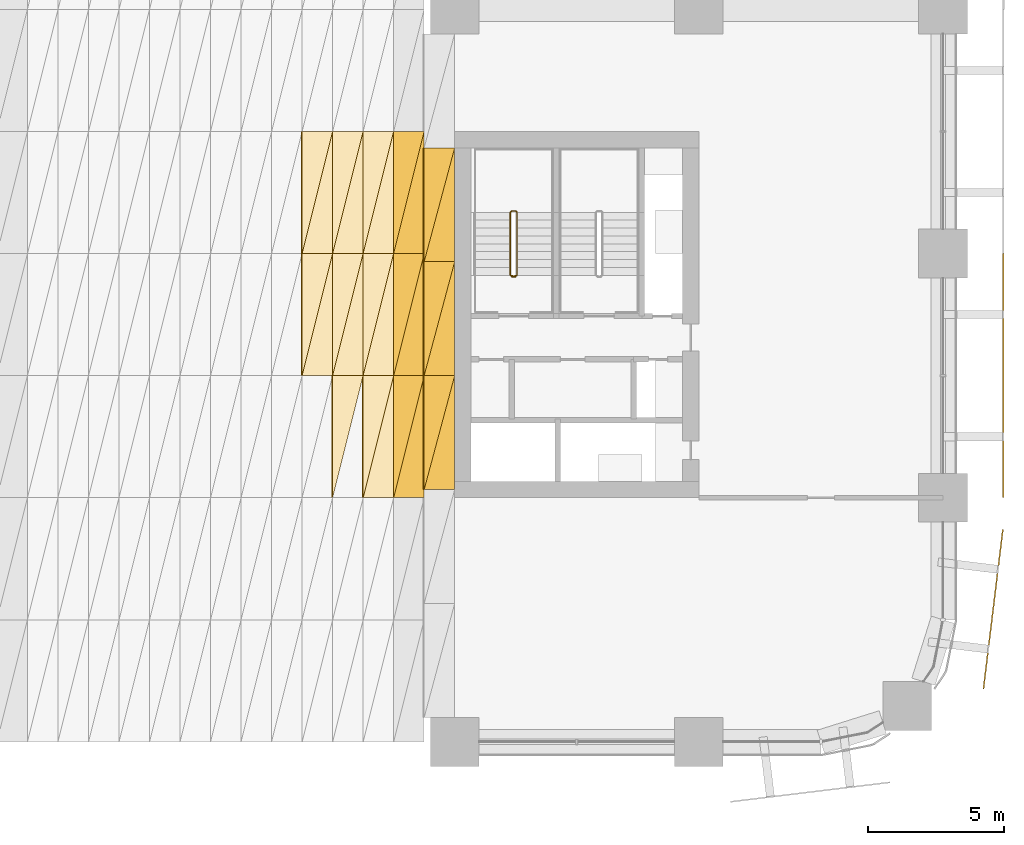
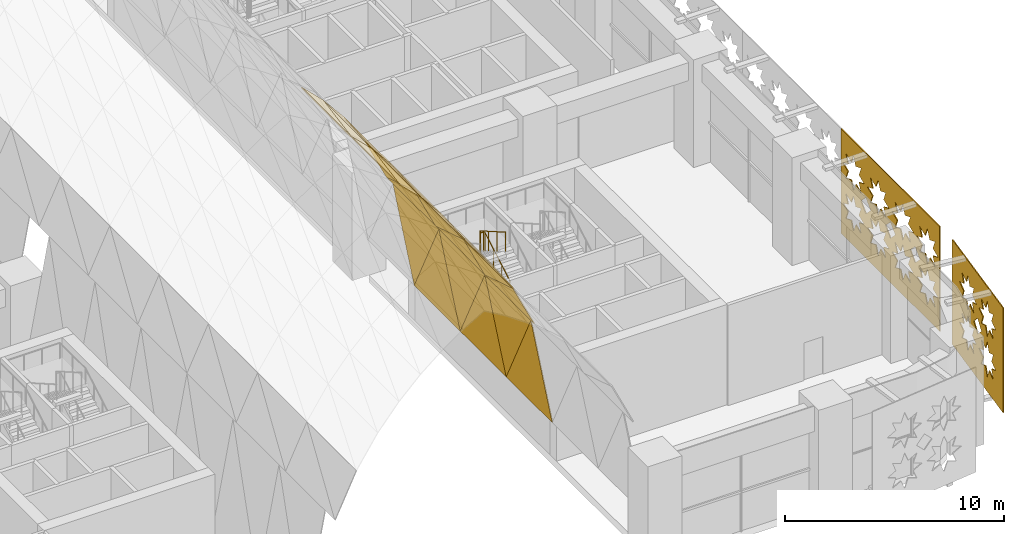
# One storey, part 37 of 46: 29 coverings, 1 railing.
"""IFC4 building model written with IfcOpenShell, lengths in metres."""

from ifc_helpers import new_model, si_unit, direction, frame, origin, origin_2d, place, context, subcontext, project, spatial, polyline, circle, outline, extrude, material, layer, layer_set, type_object, element, save


model = new_model("IFC4")

# Units and contexts
model_context = context("Model", 3, precision=1e-05, world=origin(), true_north=direction((0.0, 1.0)))
body_context = subcontext(model_context, "Body", "Model", "MODEL_VIEW")
ifc_project = project(units=[si_unit("LENGTHUNIT", "METRE"), si_unit("AREAUNIT", "SQUARE_METRE"), si_unit("VOLUMEUNIT", "CUBIC_METRE"), si_unit("PLANEANGLEUNIT", "RADIAN"), si_unit("MASSUNIT", "GRAM", prefix="KILO")], contexts=[model_context])

# Site, building, storey
site_placement = place(None, origin())
site = spatial("IfcSite", under=ifc_project, at=site_placement, CompositionType="ELEMENT")
building_placement = place(site_placement, origin())
building = spatial("IfcBuilding", under=site, at=building_placement, Name="Tessera Arch", CompositionType="ELEMENT")
storey_placement = place(building_placement, frame((0.0, 0.0, 8.0)))
storey = spatial("IfcBuildingStorey", under=building, at=storey_placement, Name="L01", CompositionType="ELEMENT", Elevation=8.0)

# Coverings
ifc_material_1 = material(Name="Aluminium cladding pale metal anodised", Category="aluminium")
ifc_layer_1 = layer(ifc_material_1, 0.050048828125)
ifc_layer_set_1 = layer_set([ifc_layer_1], Name="Arch soffit panel")
covering_type_1 = type_object("IfcCoveringType", Name="Arch soffit panel", PredefinedType="CLADDING", material=ifc_layer_set_1)
covering_1_placement = place(storey_placement, frame((30.375, 13.5, 14.6337890625), z_axis=(0.70300502251, 0.0, 0.711184883364), x_axis=(0.711184883364, 0.0, -0.70300502251)))
element("IfcCovering", 1, at=covering_1_placement, inside=storey, type_object=covering_type_1, Name="Arch soffit panel 12-4-1", PredefinedType="CLADDING", context=body_context, shape_type="SweptSolid", body=[
    extrude(outline(polyline([(0.0, 0.0), (1.5818671435730385, 0.0), (1.5818671435730385, 4.5), (0.0, 0.0)])), origin(), (0.0, 0.0, -1.0), 0.050048828125),
])
covering_2_placement = place(storey_placement, frame((30.375, 13.5, 14.6337890625), z_axis=(0.70300502251, 0.0, 0.711184883364), x_axis=(0.235852147397, 0.943408589587, -0.233139438236)))
element("IfcCovering", 2, at=covering_2_placement, inside=storey, type_object=covering_type_1, Name="Arch soffit panel 12-4-2", PredefinedType="CLADDING", context=body_context, shape_type="SweptSolid", body=[
    extrude(outline(polyline([(0.0, 0.0), (4.769937490147635, 0.0), (4.245338653143071, 1.4923470508328087), (0.0, 0.0)])), origin(), (0.0, 0.0, -1.0), 0.050048828125),
])
covering_3_placement = place(storey_placement, frame((30.375, 18.0, 14.6337890625), z_axis=(0.70300502251, 0.0, 0.711184883364), x_axis=(0.711184883364, 0.0, -0.70300502251)))
element("IfcCovering", 3, at=covering_3_placement, inside=storey, type_object=covering_type_1, Name="Arch soffit panel 12-5-1", PredefinedType="CLADDING", context=body_context, shape_type="SweptSolid", body=[
    extrude(outline(polyline([(0.0, 0.0), (1.5818671435730385, 0.0), (1.5818671435730385, 4.5), (0.0, 0.0)])), origin(), (0.0, 0.0, -1.0), 0.050048828125),
])
covering_4_placement = place(storey_placement, frame((30.375, 18.0, 14.6337890625), z_axis=(0.70300502251, 0.0, 0.711184883364), x_axis=(0.235852147397, 0.943408589587, -0.233139438236)))
element("IfcCovering", 4, at=covering_4_placement, inside=storey, type_object=covering_type_1, Name="Arch soffit panel 12-5-2", PredefinedType="CLADDING", context=body_context, shape_type="SweptSolid", body=[
    extrude(outline(polyline([(0.0, 0.0), (4.769937490147635, 0.0), (4.245338653143071, 1.4923470508328087), (0.0, 0.0)])), origin(), (0.0, 0.0, -1.0), 0.050048828125),
])
covering_5_placement = place(storey_placement, frame((31.5, 9.0, 13.521728515625), z_axis=(0.769435590456, 0.0, 0.638724410164), x_axis=(0.232802733554, 0.931210934214, -0.280444438793)))
element("IfcCovering", 5, at=covering_5_placement, inside=storey, type_object=covering_type_1, Name="Arch soffit panel 13-3-2", PredefinedType="CLADDING", context=body_context, shape_type="SweptSolid", body=[
    extrude(outline(polyline([(0.0, 0.0), (4.832417484226257, 2.220446049250313e-16), (4.190449203964491, 1.640163244617246), (0.0, 0.0)])), origin(), (0.0, 0.0, -1.0), 0.050048828125),
])
covering_6_placement = place(storey_placement, frame((31.5, 13.5, 13.521728515625), z_axis=(0.769435590456, 0.0, 0.638724410164), x_axis=(0.638724410164, 0.0, -0.769435590456)))
element("IfcCovering", 6, at=covering_6_placement, inside=storey, type_object=covering_type_1, Name="Arch soffit panel 13-4-1", PredefinedType="CLADDING", context=body_context, shape_type="SweptSolid", body=[
    extrude(outline(polyline([(0.0, 0.0), (1.7613230089496987, 0.0), (1.7613230089496987, 4.5), (0.0, 0.0)])), origin(), (0.0, 0.0, -1.0), 0.050048828125),
])
covering_7_placement = place(storey_placement, frame((31.5, 13.5, 13.521728515625), z_axis=(0.769435590456, 0.0, 0.638724410164), x_axis=(0.232802733554, 0.931210934214, -0.280444438793)))
element("IfcCovering", 7, at=covering_7_placement, inside=storey, type_object=covering_type_1, Name="Arch soffit panel 13-4-2", PredefinedType="CLADDING", context=body_context, shape_type="SweptSolid", body=[
    extrude(outline(polyline([(0.0, 0.0), (4.832417484226257, 2.220446049250313e-16), (4.190449203964491, 1.640163244617246), (0.0, 0.0)])), origin(), (0.0, 0.0, -1.0), 0.050048828125),
])
covering_8_placement = place(storey_placement, frame((31.5, 18.0, 13.521728515625), z_axis=(0.769435590456, 0.0, 0.638724410164), x_axis=(0.638724410164, 0.0, -0.769435590456)))
element("IfcCovering", 8, at=covering_8_placement, inside=storey, type_object=covering_type_1, Name="Arch soffit panel 13-5-1", PredefinedType="CLADDING", context=body_context, shape_type="SweptSolid", body=[
    extrude(outline(polyline([(0.0, 0.0), (1.7613230089496987, 0.0), (1.7613230089496987, 4.5), (0.0, 0.0)])), origin(), (0.0, 0.0, -1.0), 0.050048828125),
])
covering_9_placement = place(storey_placement, frame((31.5, 18.0, 13.521728515625), z_axis=(0.769435590456, 0.0, 0.638724410164), x_axis=(0.232802733554, 0.931210934214, -0.280444438793)))
element("IfcCovering", 9, at=covering_9_placement, inside=storey, type_object=covering_type_1, Name="Arch soffit panel 13-5-2", PredefinedType="CLADDING", context=body_context, shape_type="SweptSolid", body=[
    extrude(outline(polyline([(0.0, 0.0), (4.832417484226257, 2.220446049250313e-16), (4.190449203964491, 1.640163244617246), (0.0, 0.0)])), origin(), (0.0, 0.0, -1.0), 0.050048828125),
])
covering_10_placement = place(storey_placement, frame((32.625, 9.0, 12.16650390625), z_axis=(0.836058150895, 0.0, 0.548640837272), x_axis=(0.548640837272, 0.0, -0.836058150895)))
element("IfcCovering", 10, at=covering_10_placement, inside=storey, type_object=covering_type_1, Name="Arch soffit panel 14-3-1", PredefinedType="CLADDING", context=body_context, shape_type="SweptSolid", body=[
    extrude(outline(polyline([(0.0, 0.0), (2.050521805110356, 0.0), (2.050521805110356, 4.500000000000001), (0.0, 0.0)])), origin(), (0.0, 0.0, -1.0), 0.050048828125),
])
covering_11_placement = place(storey_placement, frame((32.625, 9.0, 12.16650390625), z_axis=(0.836058150895, 0.0, 0.548640837272), x_axis=(0.227495016996, 0.909980067983, -0.346673179111)))
element("IfcCovering", 11, at=covering_11_placement, inside=storey, type_object=covering_type_1, Name="Arch soffit panel 14-3-2", PredefinedType="CLADDING", context=body_context, shape_type="SweptSolid", body=[
    extrude(outline(polyline([(0.0, 0.0), (4.945163260523664, 0.0), (4.094910305924995, 1.8659339716156267), (0.0, 0.0)])), origin(), (0.0, 0.0, -1.0), 0.050048828125),
])
covering_12_placement = place(storey_placement, frame((32.625, 13.5, 12.16650390625), z_axis=(0.836058150895, 0.0, 0.548640837272), x_axis=(0.548640837272, 0.0, -0.836058150895)))
element("IfcCovering", 12, at=covering_12_placement, inside=storey, type_object=covering_type_1, Name="Arch soffit panel 14-4-1", PredefinedType="CLADDING", context=body_context, shape_type="SweptSolid", body=[
    extrude(outline(polyline([(0.0, 0.0), (2.050521805110356, 0.0), (2.050521805110356, 4.500000000000001), (0.0, 0.0)])), origin(), (0.0, 0.0, -1.0), 0.050048828125),
])
covering_13_placement = place(storey_placement, frame((32.625, 13.5, 12.16650390625), z_axis=(0.836058150895, 0.0, 0.548640837272), x_axis=(0.227495016996, 0.909980067983, -0.346673179111)))
element("IfcCovering", 13, at=covering_13_placement, inside=storey, type_object=covering_type_1, Name="Arch soffit panel 14-4-2", PredefinedType="CLADDING", context=body_context, shape_type="SweptSolid", body=[
    extrude(outline(polyline([(0.0, 0.0), (4.945163260523664, 0.0), (4.094910305924995, 1.8659339716156267), (0.0, 0.0)])), origin(), (0.0, 0.0, -1.0), 0.050048828125),
])
covering_14_placement = place(storey_placement, frame((32.625, 18.0, 12.16650390625), z_axis=(0.836058150895, 0.0, 0.548640837272), x_axis=(0.548640837272, 0.0, -0.836058150895)))
element("IfcCovering", 14, at=covering_14_placement, inside=storey, type_object=covering_type_1, Name="Arch soffit panel 14-5-1", PredefinedType="CLADDING", context=body_context, shape_type="SweptSolid", body=[
    extrude(outline(polyline([(0.0, 0.0), (2.050521805110356, 0.0), (2.050521805110356, 4.500000000000001), (0.0, 0.0)])), origin(), (0.0, 0.0, -1.0), 0.050048828125),
])
covering_15_placement = place(storey_placement, frame((32.625, 18.0, 12.16650390625), z_axis=(0.836058150895, 0.0, 0.548640837272), x_axis=(0.227495016996, 0.909980067983, -0.346673179111)))
element("IfcCovering", 15, at=covering_15_placement, inside=storey, type_object=covering_type_1, Name="Arch soffit panel 14-5-2", PredefinedType="CLADDING", context=body_context, shape_type="SweptSolid", body=[
    extrude(outline(polyline([(0.0, 0.0), (4.945163260523664, 0.0), (4.094910305924995, 1.8659339716156267), (0.0, 0.0)])), origin(), (0.0, 0.0, -1.0), 0.050048828125),
])
covering_16_placement = place(storey_placement, frame((33.75, 9.0, 10.4521484375), z_axis=(0.903430696756, 0.0, 0.428734155577), x_axis=(0.428734155577, 0.0, -0.903430696756)))
element("IfcCovering", 16, at=covering_16_placement, inside=storey, type_object=covering_type_1, Name="Arch soffit panel 15-3-1", PredefinedType="CLADDING", context=body_context, shape_type="SweptSolid", body=[
    extrude(outline(polyline([(0.0, 0.0), (2.624003675391368, 0.0), (2.624003675391368, 4.500000000000001), (0.0, 0.0)])), origin(), (0.0, 0.0, -1.0), 0.050048828125),
])
covering_17_placement = place(storey_placement, frame((33.75, 9.0, 10.4521484375), z_axis=(0.903430696756, 0.0, 0.428734155577), x_axis=(0.215965533365, 0.863862133459, -0.455083621739)))
element("IfcCovering", 17, at=covering_17_placement, inside=storey, type_object=covering_type_1, Name="Arch soffit panel 15-3-2", PredefinedType="CLADDING", context=body_context, shape_type="SweptSolid", body=[
    extrude(outline(polyline([(0.0, 0.0), (5.209164548031422, 0.0), (3.887379600564281, 2.2667774132271337), (0.0, 0.0)])), origin(), (0.0, 0.0, -1.0), 0.050048828125),
])
covering_18_placement = place(storey_placement, frame((33.75, 13.5, 10.4521484375), z_axis=(0.903430696756, 0.0, 0.428734155577), x_axis=(0.428734155577, 0.0, -0.903430696756)))
element("IfcCovering", 18, at=covering_18_placement, inside=storey, type_object=covering_type_1, Name="Arch soffit panel 15-4-1", PredefinedType="CLADDING", context=body_context, shape_type="SweptSolid", body=[
    extrude(outline(polyline([(0.0, 0.0), (2.624003675391368, 0.0), (2.624003675391368, 4.500000000000001), (0.0, 0.0)])), origin(), (0.0, 0.0, -1.0), 0.050048828125),
])
covering_19_placement = place(storey_placement, frame((33.75, 13.5, 10.4521484375), z_axis=(0.903430696756, 0.0, 0.428734155577), x_axis=(0.215965533365, 0.863862133459, -0.455083621739)))
element("IfcCovering", 19, at=covering_19_placement, inside=storey, type_object=covering_type_1, Name="Arch soffit panel 15-4-2", PredefinedType="CLADDING", context=body_context, shape_type="SweptSolid", body=[
    extrude(outline(polyline([(0.0, 0.0), (5.209164548031422, 0.0), (3.887379600564281, 2.2667774132271337), (0.0, 0.0)])), origin(), (0.0, 0.0, -1.0), 0.050048828125),
])
covering_20_placement = place(storey_placement, frame((33.75, 18.0, 10.4521484375), z_axis=(0.903430696756, 0.0, 0.428734155577), x_axis=(0.428734155577, 0.0, -0.903430696756)))
element("IfcCovering", 20, at=covering_20_placement, inside=storey, type_object=covering_type_1, Name="Arch soffit panel 15-5-1", PredefinedType="CLADDING", context=body_context, shape_type="SweptSolid", body=[
    extrude(outline(polyline([(0.0, 0.0), (2.624003675391368, 0.0), (2.624003675391368, 4.500000000000001), (0.0, 0.0)])), origin(), (0.0, 0.0, -1.0), 0.050048828125),
])
covering_21_placement = place(storey_placement, frame((33.75, 18.0, 10.4521484375), z_axis=(0.903430696756, 0.0, 0.428734155577), x_axis=(0.215965533365, 0.863862133459, -0.455083621739)))
element("IfcCovering", 21, at=covering_21_placement, inside=storey, type_object=covering_type_1, Name="Arch soffit panel 15-5-2", PredefinedType="CLADDING", context=body_context, shape_type="SweptSolid", body=[
    extrude(outline(polyline([(0.0, 0.0), (5.209164548031422, 0.0), (3.887379600564281, 2.2667774132271337), (0.0, 0.0)])), origin(), (0.0, 0.0, -1.0), 0.050048828125),
])
covering_22_placement = place(storey_placement, frame((34.875, 9.300048828125, 8.08154296875), z_axis=(0.98331706381, 0.0, 0.181899840628), x_axis=(0.181899840628, 0.0, -0.98331706381)))
element("IfcCovering", 22, at=covering_22_placement, inside=storey, type_object=covering_type_1, Name="Arch soffit panel 16-3-1", PredefinedType="CLADDING", context=body_context, shape_type="SweptSolid", body=[
    extrude(outline(polyline([(0.0, 0.0), (6.184722296170829, 0.0), (6.184722296170829, 4.199951171875), (0.0, 0.0)])), origin(), (0.0, 0.0, -1.0), 0.050048828125),
])
covering_23_placement = place(storey_placement, frame((34.875, 9.300048828125, 8.08154296875), z_axis=(0.98331706381, 0.0, 0.181899840628), x_axis=(0.150481805158, 0.561792207927, -0.81347694585)))
element("IfcCovering", 23, at=covering_23_placement, inside=storey, type_object=covering_type_1, Name="Arch soffit panel 16-3-2", PredefinedType="CLADDING", context=body_context, shape_type="SweptSolid", body=[
    extrude(outline(polyline([(0.0, 0.0), (7.475986873108242, 4.440892098500626e-16), (2.3594998420322653, 3.474528794179709), (0.0, 0.0)])), origin(), (0.0, 0.0, -1.0), 0.050048828125),
])
covering_24_placement = place(storey_placement, frame((34.875, 13.5, 8.08154296875), z_axis=(0.98331706381, 0.0, 0.181899840628), x_axis=(0.181899840628, 0.0, -0.98331706381)))
element("IfcCovering", 24, at=covering_24_placement, inside=storey, type_object=covering_type_1, Name="Arch soffit panel 16-4-1", PredefinedType="CLADDING", context=body_context, shape_type="SweptSolid", body=[
    extrude(outline(polyline([(0.0, 0.0), (6.184722296170829, 0.0), (6.184722296170829, 4.199951171875), (0.0, 0.0)])), origin(), (0.0, 0.0, -1.0), 0.050048828125),
])
covering_25_placement = place(storey_placement, frame((34.875, 13.5, 8.08154296875), z_axis=(0.98331706381, 0.0, 0.181899840628), x_axis=(0.150481805158, 0.561792207927, -0.81347694585)))
element("IfcCovering", 25, at=covering_25_placement, inside=storey, type_object=covering_type_1, Name="Arch soffit panel 16-4-2", PredefinedType="CLADDING", context=body_context, shape_type="SweptSolid", body=[
    extrude(outline(polyline([(0.0, 0.0), (7.475986873108242, 4.440892098500626e-16), (2.3594998420322653, 3.474528794179709), (0.0, 0.0)])), origin(), (0.0, 0.0, -1.0), 0.050048828125),
])
covering_26_placement = place(storey_placement, frame((34.875, 17.699951171875, 8.08154296875), z_axis=(0.98331706381, 0.0, 0.181899840628), x_axis=(0.181899840628, 0.0, -0.98331706381)))
element("IfcCovering", 26, at=covering_26_placement, inside=storey, type_object=covering_type_1, Name="Arch soffit panel 16-5-1", PredefinedType="CLADDING", context=body_context, shape_type="SweptSolid", body=[
    extrude(outline(polyline([(0.0, 0.0), (6.184722296170829, 0.0), (6.184722296170829, 4.199951171875), (0.0, 0.0)])), origin(), (0.0, 0.0, -1.0), 0.050048828125),
])
covering_27_placement = place(storey_placement, frame((34.875, 17.699951171875, 8.08154296875), z_axis=(0.98331706381, 0.0, 0.181899840628), x_axis=(0.150481805158, 0.561792207927, -0.81347694585)))
element("IfcCovering", 27, at=covering_27_placement, inside=storey, type_object=covering_type_1, Name="Arch soffit panel 16-5-2", PredefinedType="CLADDING", context=body_context, shape_type="SweptSolid", body=[
    extrude(outline(polyline([(0.0, 0.0), (7.475986873108242, 4.440892098500626e-16), (2.3594998420322653, 3.474528794179709), (0.0, 0.0)])), origin(), (0.0, 0.0, -1.0), 0.050048828125),
])
ifc_material_2 = material(Name="Anodised aluminium pale metal", Category="aluminium")
ifc_layer_2 = layer(ifc_material_2, 0.050048828125)
ifc_layer_set_2 = layer_set([ifc_layer_2], Name="Base lattice panel pale metal")
covering_type_2 = type_object("IfcCoveringType", Name="Base lattice panel pale metal", PredefinedType="CLADDING", material=ifc_layer_set_2)
covering_28_placement = place(storey_placement, frame((56.199951171875, 9.0, 6.0), z_axis=(-1.0, 0.0, 0.0), x_axis=(0.0, 1.0, 0.0)))
element("IfcCovering", 28, at=covering_28_placement, inside=storey, type_object=covering_type_2, Name="Base lattice panel E54.0/0 L01", PredefinedType="CLADDING", context=body_context, shape_type="SweptSolid", body=[
    extrude(outline(polyline([(0.0, 0.0), (9.0, 0.0), (9.0, 5.840087890625), (0.0, 5.840087890625), (0.0, 0.0)]), holes=[polyline([(2.114990234375, 4.044921875), (1.6240234375, 3.837890625), (1.824951171875, 3.344970703125), (1.33203125, 3.5458984375), (1.125, 3.054931640625), (0.91796875, 3.5458984375), (0.425048828125, 3.344970703125), (0.6259765625, 3.837890625), (0.135009765625, 4.044921875), (0.6259765625, 4.251953125), (0.425048828125, 4.7451171875), (0.91796875, 4.5439453125), (1.125, 5.034912109375), (1.33203125, 4.5439453125), (1.824951171875, 4.7451171875), (1.6240234375, 4.251953125), (2.114990234375, 4.044921875)]), polyline([(2.114990234375, 1.794921875), (1.6240234375, 1.587890625), (1.824951171875, 1.094970703125), (1.33203125, 1.2958984375), (1.125, 0.804931640625), (0.91796875, 1.2958984375), (0.425048828125, 1.094970703125), (0.6259765625, 1.587890625), (0.135009765625, 1.794921875), (0.6259765625, 2.001953125), (0.425048828125, 2.4951171875), (0.91796875, 2.2939453125), (1.125, 2.784912109375), (1.33203125, 2.2939453125), (1.824951171875, 2.4951171875), (1.6240234375, 2.001953125), (2.114990234375, 1.794921875)]), polyline([(4.364990234375, 4.044921875), (3.8740234375, 3.837890625), (4.074951171875, 3.344970703125), (3.58203125, 3.5458984375), (3.375, 3.054931640625), (3.16796875, 3.5458984375), (2.675048828125, 3.344970703125), (2.8759765625, 3.837890625), (2.385009765625, 4.044921875), (2.8759765625, 4.251953125), (2.675048828125, 4.7451171875), (3.16796875, 4.5439453125), (3.375, 5.034912109375), (3.58203125, 4.5439453125), (4.074951171875, 4.7451171875), (3.8740234375, 4.251953125), (4.364990234375, 4.044921875)]), polyline([(4.364990234375, 1.794921875), (3.8740234375, 1.587890625), (4.074951171875, 1.094970703125), (3.58203125, 1.2958984375), (3.375, 0.804931640625), (3.16796875, 1.2958984375), (2.675048828125, 1.094970703125), (2.8759765625, 1.587890625), (2.385009765625, 1.794921875), (2.8759765625, 2.001953125), (2.675048828125, 2.4951171875), (3.16796875, 2.2939453125), (3.375, 2.784912109375), (3.58203125, 2.2939453125), (4.074951171875, 2.4951171875), (3.8740234375, 2.001953125), (4.364990234375, 1.794921875)]), polyline([(6.614990234375, 4.044921875), (6.1240234375, 3.837890625), (6.324951171875, 3.344970703125), (5.83203125, 3.5458984375), (5.625, 3.054931640625), (5.41796875, 3.5458984375), (4.925048828125, 3.344970703125), (5.1259765625, 3.837890625), (4.635009765625, 4.044921875), (5.1259765625, 4.251953125), (4.925048828125, 4.7451171875), (5.41796875, 4.5439453125), (5.625, 5.034912109375), (5.83203125, 4.5439453125), (6.324951171875, 4.7451171875), (6.1240234375, 4.251953125), (6.614990234375, 4.044921875)]), polyline([(6.614990234375, 1.794921875), (6.1240234375, 1.587890625), (6.324951171875, 1.094970703125), (5.83203125, 1.2958984375), (5.625, 0.804931640625), (5.41796875, 1.2958984375), (4.925048828125, 1.094970703125), (5.1259765625, 1.587890625), (4.635009765625, 1.794921875), (5.1259765625, 2.001953125), (4.925048828125, 2.4951171875), (5.41796875, 2.2939453125), (5.625, 2.784912109375), (5.83203125, 2.2939453125), (6.324951171875, 2.4951171875), (6.1240234375, 2.001953125), (6.614990234375, 1.794921875)]), polyline([(8.864990234375, 4.044921875), (8.3740234375, 3.837890625), (8.574951171875, 3.344970703125), (8.08203125, 3.5458984375), (7.875, 3.054931640625), (7.66796875, 3.5458984375), (7.175048828125, 3.344970703125), (7.3759765625, 3.837890625), (6.885009765625, 4.044921875), (7.3759765625, 4.251953125), (7.175048828125, 4.7451171875), (7.66796875, 4.5439453125), (7.875, 5.034912109375), (8.08203125, 4.5439453125), (8.574951171875, 4.7451171875), (8.3740234375, 4.251953125), (8.864990234375, 4.044921875)]), polyline([(8.864990234375, 1.794921875), (8.3740234375, 1.587890625), (8.574951171875, 1.094970703125), (8.08203125, 1.2958984375), (7.875, 0.804931640625), (7.66796875, 1.2958984375), (7.175048828125, 1.094970703125), (7.3759765625, 1.587890625), (6.885009765625, 1.794921875), (7.3759765625, 2.001953125), (7.175048828125, 2.4951171875), (7.66796875, 2.2939453125), (7.875, 2.784912109375), (8.08203125, 2.2939453125), (8.574951171875, 2.4951171875), (8.3740234375, 2.001953125), (8.864990234375, 1.794921875)]), polyline([(2.699951171875, 2.919921875), (2.25, 2.469970703125), (1.800048828125, 2.919921875), (2.25, 3.3701171875), (2.699951171875, 2.919921875)]), polyline([(4.949951171875, 2.919921875), (4.5, 2.469970703125), (4.050048828125, 2.919921875), (4.5, 3.3701171875), (4.949951171875, 2.919921875)]), polyline([(7.199951171875, 2.919921875), (6.75, 2.469970703125), (6.300048828125, 2.919921875), (6.75, 3.3701171875), (7.199951171875, 2.919921875)])]), origin(), (0.0, 0.0, -1.0), 0.050048828125),
])
covering_29_placement = place(storey_placement, frame((55.467041015625, 1.951904296875, 6.0), z_axis=(-0.992656620686, 0.120966249049, 0.0), x_axis=(0.120966249049, 0.992656620686, 0.0)))
element("IfcCovering", 29, at=covering_29_placement, inside=storey, type_object=covering_type_2, Name="Base lattice panel E54.0/5 L01", PredefinedType="CLADDING", context=body_context, shape_type="SweptSolid", body=[
    extrude(outline(polyline([(0.0, 0.0), (5.925593962252626, 0.0), (5.925593962252626, 5.840087890625), (0.0, 5.840087890625), (0.0, 0.0)]), holes=[polyline([(2.8278905125881417, 4.044921875), (2.336987823767969, 3.837890625), (2.5379392602926423, 3.344970703125), (2.0440693322277617, 3.5458984375), (1.8379695261883193, 3.054931640625), (1.6308707961420916, 3.5458984375), (1.1379997920839962, 3.344970703125), (1.3389512286086689, 3.837890625), (0.84801900701285, 4.044921875), (1.3389512286086689, 4.251953125), (1.1379997920839962, 4.7451171875), (1.6308707961420916, 4.5439453125), (1.8379695261883193, 5.034912109375), (2.0440693322277617, 4.5439453125), (2.5379392602926423, 4.7451171875), (2.336987823767969, 4.251953125), (2.8278905125881417, 4.044921875)]), polyline([(2.8278905125881417, 1.794921875), (2.336987823767969, 1.587890625), (2.5379392602926423, 1.094970703125), (2.0440693322277617, 1.2958984375), (1.8379695261883193, 0.804931640625), (1.6308707961420916, 1.2958984375), (1.1379997920839962, 1.094970703125), (1.3389512286086689, 1.587890625), (0.84801900701285, 1.794921875), (1.3389512286086689, 2.001953125), (1.1379997920839962, 2.4951171875), (1.6308707961420916, 2.2939453125), (1.8379695261883193, 2.784912109375), (2.0440693322277617, 2.2939453125), (2.5379392602926423, 2.4951171875), (2.336987823767969, 2.001953125), (2.8278905125881417, 1.794921875)]), polyline([(5.078059650855345, 4.044921875), (4.586914614227389, 3.837890625), (4.788108398559846, 3.344970703125), (4.293996122687181, 3.5458984375), (4.088138664455523, 3.054931640625), (3.8810399344092956, 3.5458984375), (3.3879265825434155, 3.344970703125), (3.5890908341002263, 3.837890625), (3.0979457974722693, 4.044921875), (3.5890908341002263, 4.251953125), (3.3879265825434155, 4.7451171875), (3.8810399344092956, 4.5439453125), (4.088138664455523, 5.034912109375), (4.293996122687181, 4.5439453125), (4.788108398559846, 4.7451171875), (4.586914614227389, 4.251953125), (5.078059650855345, 4.044921875)]), polyline([(5.078059650855345, 1.794921875), (4.586914614227389, 1.587890625), (4.788108398559846, 1.094970703125), (4.293996122687181, 1.2958984375), (4.088138664455523, 0.804931640625), (3.8810399344092956, 1.2958984375), (3.3879265825434155, 1.094970703125), (3.5890908341002263, 1.587890625), (3.0979457974722693, 1.794921875), (3.5890908341002263, 2.001953125), (3.3879265825434155, 2.4951171875), (3.8810399344092956, 2.2939453125), (4.088138664455523, 2.784912109375), (4.293996122687181, 2.2939453125), (4.788108398559846, 2.4951171875), (4.586914614227389, 2.001953125), (5.078059650855345, 1.794921875)]), polyline([(3.4130004522452033, 2.919921875), (2.96316050283799, 2.469970703125), (2.5130782056229926, 2.919921875), (2.96316050283799, 3.3701171875), (3.4130004522452033, 2.919921875)])]), origin(), (0.0, 0.0, -1.0), 0.050048828125),
])

# Railing
ifc_material_3 = material(Name="Painted steel balustrade", Category="steel")
railing_type = type_object("IfcRailingType", Name="Stair guard 1100", PredefinedType="GUARDRAIL", material=ifc_material_3)
railing_placement = place(storey_placement, frame((38.25, 17.14990234375, 0.0)))
element("IfcRailing", 30, at=railing_placement, inside=storey, type_object=railing_type, Name="L01 S3a stair guard 1", PredefinedType="GUARDRAIL", context=body_context, shape_type="SweptSolid", body=[
    extrude(circle(Radius=0.02392578125, at=origin_2d()), frame((0.00390625, 0.0, 1.076171875), z_axis=(-1.0, 0.0, 0.0), x_axis=(0.0, -1.0, 0.0)), (0.0, 0.0, 1.0), 0.157958984375),
    extrude(circle(Radius=0.02392578125, at=origin_2d()), frame((-0.15283203125, -0.000732421875, 1.073486328125), z_axis=(0.754182335027, 0.188775798145, 0.628945707965), x_axis=(-0.242814311512, 0.970072785993, 0.0)), (0.0, 0.0, 1.0), 0.273193359375),
    extrude(circle(Radius=0.02392578125, at=origin_2d()), frame((0.050048828125, 0.046630859375, 1.24072265625), z_axis=(0.0, 0.867033425039, 0.498249977285), x_axis=(-1.0, 0.0, 0.0)), (0.0, 0.0, 1.0), 2.683837890625),
    extrude(circle(Radius=0.02392578125, at=origin_2d()), frame((0.052978515625, 2.3671875, 2.576171875), z_axis=(-0.707106781187, 0.707106781187, 0.0), x_axis=(-0.707106781187, -0.707106781187, 0.0)), (0.0, 0.0, 1.0), 0.078857421875),
    extrude(circle(Radius=0.02392578125, at=origin_2d()), frame((0.00390625, 2.420166015625, 2.576171875), z_axis=(-1.0, 0.0, 0.0), x_axis=(0.0, -1.0, 0.0)), (0.0, 0.0, 1.0), 0.157958984375),
    extrude(circle(Radius=0.02392578125, at=origin_2d()), frame((-0.148681640625, 2.42138671875, 2.572265625), z_axis=(-0.27628659633, -0.27628659633, 0.920506074601), x_axis=(0.707106781187, -0.707106781187, 0.0)), (0.0, 0.0, 1.0), 0.189208984375),
    extrude(circle(Radius=0.02392578125, at=origin_2d()), frame((-0.199951171875, 2.37353515625, 2.74072265625), z_axis=(0.0, -0.867033425039, 0.498249977285), x_axis=(1.0, 0.0, 0.0)), (0.0, 0.0, 1.0), 2.683837890625),
    extrude(circle(Radius=0.02392578125, at=origin_2d()), frame((-0.203857421875, 0.051025390625, 4.076171875), z_axis=(0.970072785993, -0.242814311512, 0.0), x_axis=(0.242814311512, 0.970072785993, 0.0)), (0.0, 0.0, 1.0), 0.214111328125),
    extrude(circle(Radius=0.02392578125, at=origin_2d()), frame((0.00390625, 0.0, 4.076171875), z_axis=(-1.0, 0.0, 0.0), x_axis=(0.0, -1.0, 0.0)), (0.0, 0.0, 1.0), 0.157958984375),
    extrude(circle(Radius=0.02392578125, at=origin_2d()), frame((-0.15283203125, -0.000732421875, 4.073486328125), z_axis=(0.754182335027, 0.188775798145, 0.628945707965), x_axis=(-0.242814311512, 0.970072785993, 0.0)), (0.0, 0.0, 1.0), 0.273193359375),
    extrude(circle(Radius=0.02392578125, at=origin_2d()), frame((0.050048828125, 0.046630859375, 4.24072265625), z_axis=(0.0, 0.867033425039, 0.498249977285), x_axis=(-1.0, 0.0, 0.0)), (0.0, 0.0, 1.0), 2.683837890625),
    extrude(circle(Radius=0.02392578125, at=origin_2d()), frame((0.052978515625, 2.3671875, 5.576171875), z_axis=(-0.707106781187, 0.707106781187, 0.0), x_axis=(-0.707106781187, -0.707106781187, 0.0)), (0.0, 0.0, 1.0), 0.078857421875),
    extrude(circle(Radius=0.02392578125, at=origin_2d()), frame((0.00390625, 2.420166015625, 5.576171875), z_axis=(-1.0, 0.0, 0.0), x_axis=(0.0, -1.0, 0.0)), (0.0, 0.0, 1.0), 0.157958984375),
    extrude(circle(Radius=0.02392578125, at=origin_2d()), frame((-0.148681640625, 2.42138671875, 5.572265625), z_axis=(-0.27628659633, -0.27628659633, 0.920506074601), x_axis=(0.707106781187, -0.707106781187, 0.0)), (0.0, 0.0, 1.0), 0.189208984375),
    extrude(circle(Radius=0.02392578125, at=origin_2d()), frame((-0.199951171875, 2.37353515625, 5.74072265625), z_axis=(0.0, -0.867033425039, 0.498249977285), x_axis=(1.0, 0.0, 0.0)), (0.0, 0.0, 1.0), 2.683837890625),
    extrude(circle(Radius=0.02099609375, at=origin_2d()), origin(), (0.0, 0.0, 1.0), 1.06396484375),
    extrude(circle(Radius=0.02099609375, at=origin_2d()), frame((-0.14990234375, 0.0, 0.0)), (0.0, 0.0, 1.0), 1.06396484375),
    extrude(circle(Radius=0.02099609375, at=origin_2d()), frame((0.050048828125, 0.050048828125, 0.166748046875)), (0.0, 0.0, 1.0), 1.06396484375),
    extrude(circle(Radius=0.02099609375, at=origin_2d()), frame((0.050048828125, 0.823486328125, 0.611083984375)), (0.0, 0.0, 1.0), 1.06396484375),
    extrude(circle(Radius=0.02099609375, at=origin_2d()), frame((0.050048828125, 1.5966796875, 1.0556640625)), (0.0, 0.0, 1.0), 1.06396484375),
    extrude(circle(Radius=0.02099609375, at=origin_2d()), frame((0.050048828125, 2.3701171875, 1.5)), (0.0, 0.0, 1.0), 1.06396484375),
    extrude(circle(Radius=0.02099609375, at=origin_2d()), frame((0.0, 2.420166015625, 1.5)), (0.0, 0.0, 1.0), 1.06396484375),
    extrude(circle(Radius=0.02099609375, at=origin_2d()), frame((-0.14990234375, 2.420166015625, 1.5)), (0.0, 0.0, 1.0), 1.06396484375),
    extrude(circle(Radius=0.02099609375, at=origin_2d()), frame((-0.199951171875, 2.3701171875, 1.666748046875)), (0.0, 0.0, 1.0), 1.06396484375),
    extrude(circle(Radius=0.02099609375, at=origin_2d()), frame((-0.199951171875, 1.5966796875, 2.111083984375)), (0.0, 0.0, 1.0), 1.06396484375),
    extrude(circle(Radius=0.02099609375, at=origin_2d()), frame((-0.199951171875, 0.823486328125, 2.5556640625)), (0.0, 0.0, 1.0), 1.06396484375),
    extrude(circle(Radius=0.02099609375, at=origin_2d()), frame((-0.199951171875, 0.050048828125, 3.0)), (0.0, 0.0, 1.0), 1.06396484375),
    extrude(circle(Radius=0.02099609375, at=origin_2d()), frame((0.0, 0.0, 3.0)), (0.0, 0.0, 1.0), 1.06396484375),
    extrude(circle(Radius=0.02099609375, at=origin_2d()), frame((-0.14990234375, 0.0, 3.0)), (0.0, 0.0, 1.0), 1.06396484375),
    extrude(circle(Radius=0.02099609375, at=origin_2d()), frame((0.050048828125, 0.050048828125, 3.166748046875)), (0.0, 0.0, 1.0), 1.06396484375),
    extrude(circle(Radius=0.02099609375, at=origin_2d()), frame((0.050048828125, 0.823486328125, 3.611083984375)), (0.0, 0.0, 1.0), 1.06396484375),
    extrude(circle(Radius=0.02099609375, at=origin_2d()), frame((0.050048828125, 1.5966796875, 4.0556640625)), (0.0, 0.0, 1.0), 1.06396484375),
    extrude(circle(Radius=0.02099609375, at=origin_2d()), frame((0.050048828125, 2.3701171875, 4.5)), (0.0, 0.0, 1.0), 1.06396484375),
    extrude(circle(Radius=0.02099609375, at=origin_2d()), frame((0.0, 2.420166015625, 4.5)), (0.0, 0.0, 1.0), 1.06396484375),
    extrude(circle(Radius=0.02099609375, at=origin_2d()), frame((-0.14990234375, 2.420166015625, 4.5)), (0.0, 0.0, 1.0), 1.06396484375),
    extrude(circle(Radius=0.02099609375, at=origin_2d()), frame((-0.199951171875, 2.3701171875, 4.666748046875)), (0.0, 0.0, 1.0), 1.06396484375),
    extrude(circle(Radius=0.02099609375, at=origin_2d()), frame((-0.199951171875, 1.5966796875, 5.111083984375)), (0.0, 0.0, 1.0), 1.06396484375),
    extrude(circle(Radius=0.02099609375, at=origin_2d()), frame((-0.199951171875, 0.823486328125, 5.5556640625)), (0.0, 0.0, 1.0), 1.06396484375),
    extrude(circle(Radius=0.02099609375, at=origin_2d()), frame((-0.199951171875, 0.050048828125, 6.0)), (0.0, 0.0, 1.0), 1.06396484375),
])

save(model, "model.ifc")
